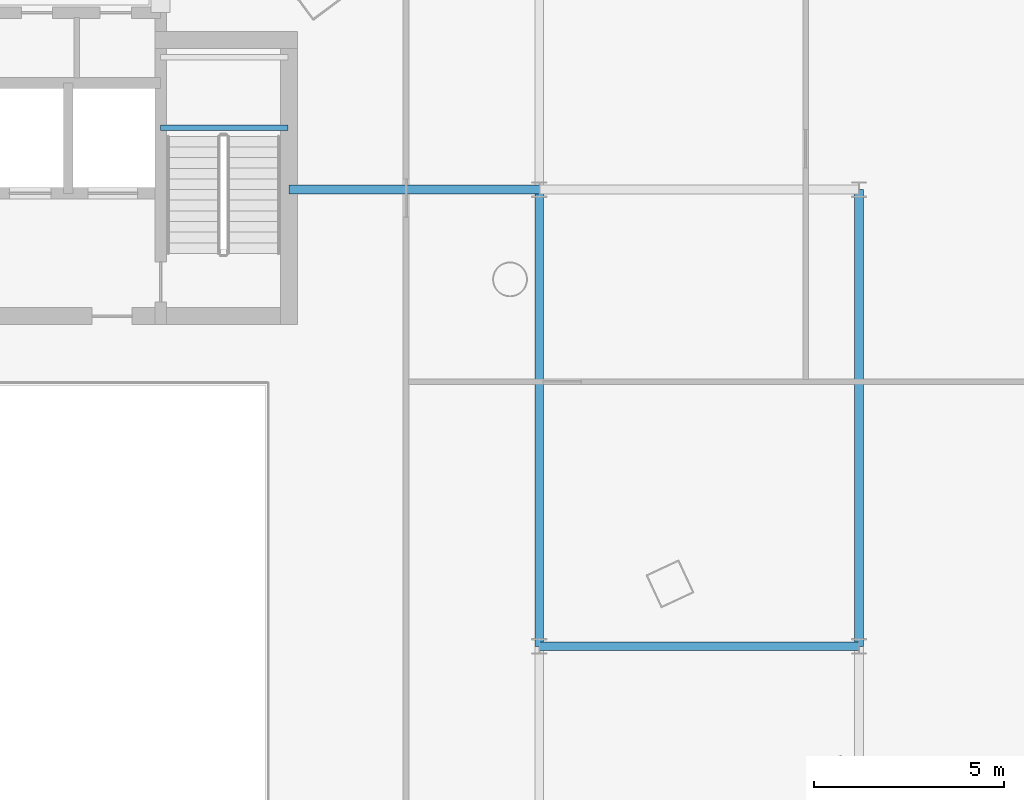
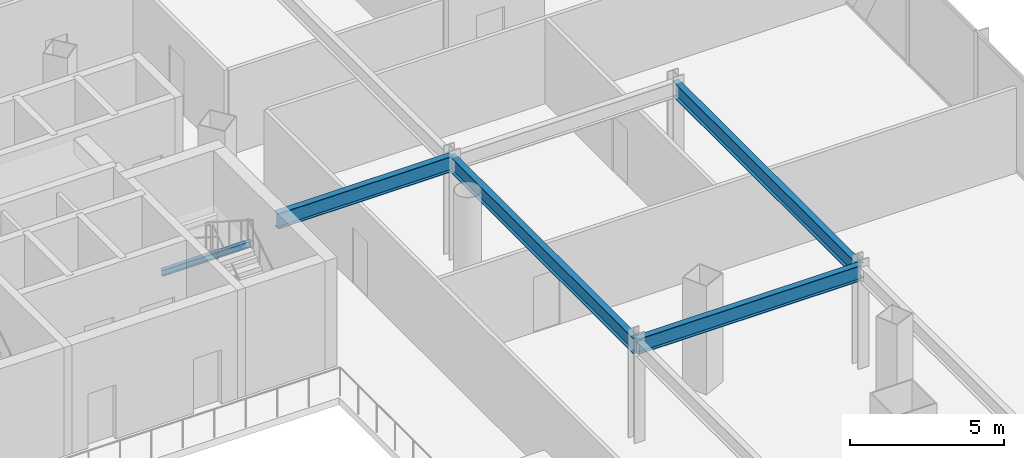
# One storey, part 19 of 42: 5 beams.
"""IFC4 building model written with IfcOpenShell, lengths in metres."""

from ifc_helpers import new_model, si_unit, direction, frame, origin, origin_2d, place, context, subcontext, project, spatial, i_section, extrude, material, material_profile, profile_set, type_object, element, save


model = new_model("IFC4")

# Units and contexts
model_context = context("Model", 3, precision=1e-05, world=origin(), true_north=direction((0.0, 1.0)))
body_context = subcontext(model_context, "Body", "Model", "MODEL_VIEW")
ifc_project = project(units=[si_unit("LENGTHUNIT", "METRE"), si_unit("AREAUNIT", "SQUARE_METRE"), si_unit("VOLUMEUNIT", "CUBIC_METRE"), si_unit("PLANEANGLEUNIT", "RADIAN"), si_unit("MASSUNIT", "GRAM", prefix="KILO")], contexts=[model_context])

# Site, building, storey
site_placement = place(None, origin())
site = spatial("IfcSite", under=ifc_project, at=site_placement, CompositionType="ELEMENT")
building_placement = place(site_placement, origin())
building = spatial("IfcBuilding", under=site, at=building_placement, Name="Orvanel Arch Residences", CompositionType="ELEMENT")
storey_placement = place(building_placement, frame((0.0, 0.0, 9.800048828125)))
storey = spatial("IfcBuildingStorey", under=building, at=storey_placement, Name="L02", CompositionType="ELEMENT", Elevation=9.800048828125)

# Beams
ifc_material = material(Name="Structural steel AS/NZS 3679.1 Grade 300 (300 MPa)", Category="steel")
ifc_material_profile_1 = material_profile(ifc_material, i_section(OverallWidth=0.22900390625, OverallDepth=0.612060546875, WebThickness=0.011962890625, FlangeThickness=0.01953125, at=origin_2d()), Name="610UB125")
ifc_profile_set_1 = profile_set([ifc_material_profile_1], Name="Structural steel AS/NZS 3679.1 Grade 300 (300 MPa)")
beam_type_1 = type_object("IfcBeamType", Name="BG-610UB", PredefinedType="BEAM", material=ifc_profile_set_1)
beam_1_placement = place(storey_placement, frame((46.199951171875, 18.0, 3.7138671875), z_axis=(1.0, 0.0, 0.0), x_axis=(0.0, 1.0, 0.0)))
element("IfcBeam", 1, at=beam_1_placement, inside=storey, type_object=beam_type_1, Name="L02 BG-610UB beam", PredefinedType="BEAM", context=body_context, shape_type="SweptSolid", body=[
    extrude(i_section(OverallWidth=0.22900390625, OverallDepth=0.612060546875, WebThickness=0.011962890625, FlangeThickness=0.01953125, at=origin_2d()), origin(), (0.0, 0.0, 1.0), 8.400146484375),
])
beam_2_placement = place(storey_placement, frame((39.625, 30.0, 3.7138671875), z_axis=(1.0, 0.0, 0.0), x_axis=(0.0, 1.0, 0.0)))
element("IfcBeam", 2, at=beam_2_placement, inside=storey, type_object=beam_type_1, Name="L02 BG-610UB beam", PredefinedType="BEAM", context=body_context, shape_type="SweptSolid", body=[
    extrude(i_section(OverallWidth=0.22900390625, OverallDepth=0.612060546875, WebThickness=0.011962890625, FlangeThickness=0.01953125, at=origin_2d()), origin(), (0.0, 0.0, 1.0), 6.574951171875),
])
for number, where, z_axis, x_axis, name in (
    (3, (46.199951171875, 18.0, 3.7138671875), (0.0, 1.0, 0.0), (-1.0, 0.0, 0.0), "L02 North-South Podium Girder XE46-M"),
    (4, (54.60009765625, 18.0, 3.7138671875), (0.0, 1.0, 0.0), (-1.0, 0.0, 0.0), "L02 North-South Podium Girder XE55-M"),
):
    element("IfcBeam", number, at=place(storey_placement, frame(where, z_axis=z_axis, x_axis=x_axis)), inside=storey, type_object=beam_type_1, Name=name, PredefinedType="BEAM", context=body_context, shape_type="SweptSolid", body=[
        extrude(i_section(OverallWidth=0.22900390625, OverallDepth=0.612060546875, WebThickness=0.011962890625, FlangeThickness=0.01953125, at=origin_2d()), origin(), (0.0, 0.0, 1.0), 12.0),
    ])
ifc_material_profile_2 = material_profile(ifc_material, i_section(OverallWidth=0.14599609375, OverallDepth=0.251953125, WebThickness=0.006103515625, FlangeThickness=0.008544921875, at=origin_2d()), Name="250UB31.4")
ifc_profile_set_2 = profile_set([ifc_material_profile_2], Name="Structural steel AS/NZS 3679.1 Grade 300 (300 MPa)")
beam_type_2 = type_object("IfcBeamType", Name="BJ-250UB", PredefinedType="JOIST", material=ifc_profile_set_2)
beam_3_placement = place(storey_placement, frame((36.25, 31.6201171875, 1.823974609375), z_axis=(1.0, 0.0, 0.0), x_axis=(0.0, 1.0, 0.0)))
element("IfcBeam", 5, at=beam_3_placement, inside=storey, type_object=beam_type_2, Name="L02 ST-2 Half-Landing Support Beam 1.1", PredefinedType="JOIST", context=body_context, shape_type="SweptSolid", body=[
    extrude(i_section(OverallWidth=0.14599609375, OverallDepth=0.251953125, WebThickness=0.006103515625, FlangeThickness=0.008544921875, at=origin_2d()), origin(), (0.0, 0.0, 1.0), 3.35009765625),
])

save(model, "model.ifc")
